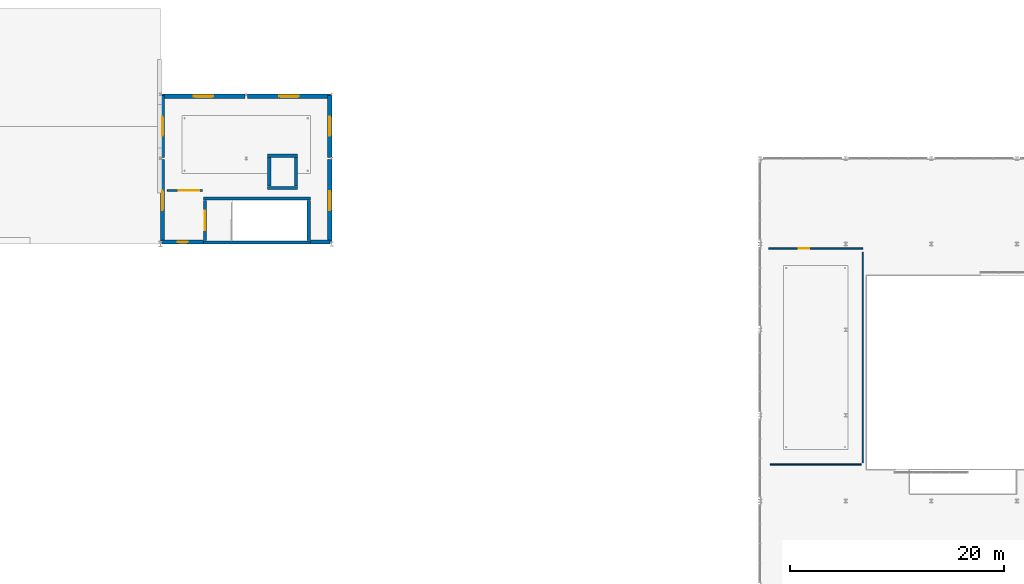
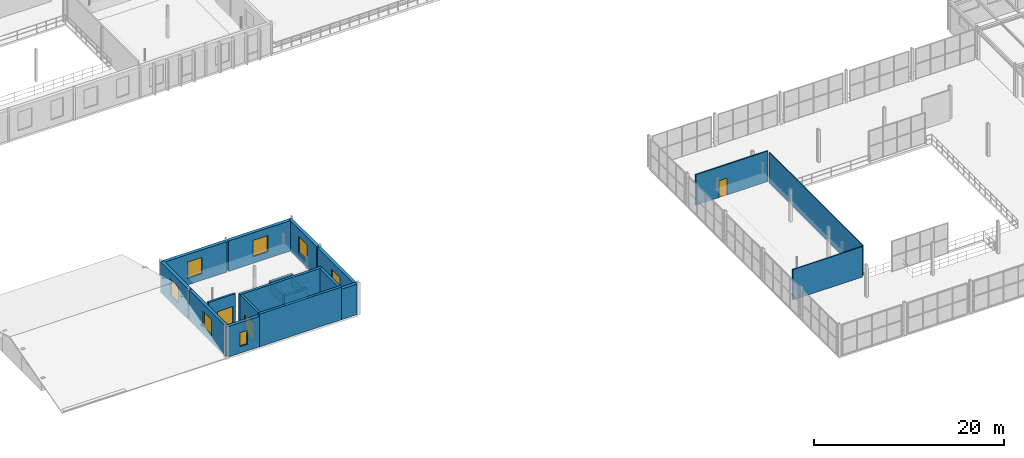
# One storey, part 38 of 67: 20 walls, 7 windows, 3 doors, 10 openings.
"""IFC4 building model written with IfcOpenShell, lengths in metres."""

from ifc_helpers import new_model, si_unit, direction, frame, frame_2d, origin, place, context, subcontext, project, spatial, rectangle, extrude, material, layer, layer_set, type_object, element, fill, save


model = new_model("IFC4")

# Units and contexts
model_context = context("Model", 3, precision=1e-05, world=origin(), true_north=direction((0.0, 1.0)))
body_context = subcontext(model_context, "Body", "Model", "MODEL_VIEW")
ifc_project = project(units=[si_unit("LENGTHUNIT", "METRE"), si_unit("AREAUNIT", "SQUARE_METRE"), si_unit("VOLUMEUNIT", "CUBIC_METRE"), si_unit("PLANEANGLEUNIT", "RADIAN"), si_unit("MASSUNIT", "GRAM", prefix="KILO")], contexts=[model_context])

# Site, building, storey
site_placement = place(None, origin())
site = spatial("IfcSite", under=ifc_project, at=site_placement, CompositionType="ELEMENT")
building_placement = place(site_placement, origin())
building = spatial("IfcBuilding", under=site, at=building_placement, Name="Sundkrona Museum", CompositionType="ELEMENT")
storey_placement = place(building_placement, frame((0.0, 0.0, 21.800048828125)))
storey = spatial("IfcBuildingStorey", under=building, at=storey_placement, Name="L04", CompositionType="ELEMENT", Elevation=21.800048828125)

# Walls
ifc_material_1 = material(Name="Concrete C40/50", Category="concrete")
ifc_layer_1 = layer(ifc_material_1, 0.300048828125)
ifc_layer_set_1 = layer_set([ifc_layer_1], Name="Concrete C40/50")
wall_type_1 = type_object("IfcWallType", Name="W-CORE-300", PredefinedType="SHEAR", material=ifc_layer_set_1)
for number, where, z_axis, x_axis, name in (
    (1, (28.0, 32.14990234375, 0.0), (0.0, 0.0, 1.0), (1.0, 0.0, 0.0), "L04 ST-4 Core Shear Wall South"),
    (2, (28.0, 36.25, 0.0), (0.0, 0.0, 1.0), (1.0, 0.0, 0.0), "L04 ST-4 Core Shear Wall North"),
):
    element("IfcWall", number, at=place(storey_placement, frame(where, z_axis=z_axis, x_axis=x_axis)), inside=storey, type_object=wall_type_1, Name=name, PredefinedType="SHEAR", context=body_context, shape_type="SweptSolid", body=[
        extrude(rectangle(XDim=10.0, YDim=0.300048828125, at=frame_2d((5.0, 0.0))), origin(), (0.0, 0.0, 1.0), 4.199951171875),
    ])

# Wall, opening, door
wall_1_placement = place(storey_placement, frame((28.14990234375, 32.31005859375, 0.0), z_axis=(0.0, 0.0, 1.0), x_axis=(0.0, 1.0, 0.0)))
wall_1 = element("IfcWall", 3, at=wall_1_placement, inside=storey, type_object=wall_type_1, Name="L04 ST-4 Core Shear Wall West", PredefinedType="SHEAR", context=body_context, shape_type="SweptSolid", body=[
    extrude(rectangle(XDim=3.780029296875, YDim=0.300048828125, at=frame_2d((1.89013671875, 0.0))), origin(), (0.0, 0.0, 1.0), 4.199951171875),
])
opening_1_placement = place(wall_1_placement, frame((0.989990234375, 0.0, 0.0)))
opening_1 = element("IfcOpeningElement", 4, at=opening_1_placement, cuts=wall_1, Name="Opening D-FD60", PredefinedType="OPENING", context=body_context, shape_type="SweptSolid", body=[
    extrude(rectangle(XDim=1.800048828125, YDim=2.199951171875, at=frame_2d((0.89990234375, 1.10009765625))), frame((0.0, 0.159912109375, 0.0), z_axis=(0.0, -1.0, 0.0), x_axis=(1.0, 0.0, 0.0)), (0.0, 0.0, 1.0), 0.320068359375),
])
ifc_material_2 = material(Name="Steel S355J2 Fire Door Leaf", Category="steel")
door_type_1 = type_object("IfcDoorType", Name="D-FD60", OperationType="DOUBLE_DOOR_SINGLE_SWING", PredefinedType="DOOR", material=ifc_material_2)
door_1_placement = place(opening_1_placement, origin())
door_1 = element("IfcDoor", 5, at=door_1_placement, inside=storey, type_object=door_type_1, Name="L04 ST-4 Protected Escape Stair Door DR-ST-4-L04", OperationType="DOUBLE_DOOR_SINGLE_SWING", OverallHeight=2.199951171875, OverallWidth=1.800048828125, PredefinedType="DOOR", context=body_context, shape_type="SweptSolid", body=[
    extrude(rectangle(XDim=1.800048828125, YDim=2.199951171875, at=frame_2d((0.89990234375, 1.10009765625))), frame((0.0, 0.02490234375, 0.0), z_axis=(0.0, -1.0, 0.0), x_axis=(1.0, 0.0, 0.0)), (0.0, 0.0, 1.0), 0.050048828125),
])
fill(opening_1, door_1)

# Walls
wall_2_placement = place(storey_placement, frame((37.85009765625, 32.31005859375, 0.0), z_axis=(0.0, 0.0, 1.0), x_axis=(0.0, 1.0, 0.0)))
element("IfcWall", 6, at=wall_2_placement, inside=storey, type_object=wall_type_1, Name="L04 ST-4 Core Shear Wall East", PredefinedType="SHEAR", context=body_context, shape_type="SweptSolid", body=[
    extrude(rectangle(XDim=3.780029296875, YDim=0.300048828125, at=frame_2d((1.89013671875, 0.0))), origin(), (0.0, 0.0, 1.0), 4.199951171875),
])
for number, where, z_axis, x_axis, name in (
    (7, (34.0, 37.25, 0.0), (0.0, 0.0, 1.0), (1.0, 0.0, 0.0), "PL-4 Lift Overrun Wall South"),
    (8, (34.0, 40.25, 0.0), (0.0, 0.0, 1.0), (1.0, 0.0, 0.0), "PL-4 Lift Overrun Wall North"),
):
    element("IfcWall", number, at=place(storey_placement, frame(where, z_axis=z_axis, x_axis=x_axis)), inside=storey, type_object=wall_type_1, Name=name, PredefinedType="SHEAR", context=body_context, shape_type="SweptSolid", body=[
        extrude(rectangle(XDim=2.800048828125, YDim=0.300048828125, at=frame_2d((1.39990234375, 0.0))), origin(), (0.0, 0.0, 1.0), 1.300048828125),
    ])
for number, where, z_axis, x_axis, name in (
    (9, (34.14990234375, 37.409912109375, 0.0), (0.0, 0.0, 1.0), (0.0, 1.0, 0.0), "PL-4 Lift Overrun Wall West"),
    (10, (36.64990234375, 37.409912109375, 0.0), (0.0, 0.0, 1.0), (0.0, 1.0, 0.0), "PL-4 Lift Overrun Wall East"),
):
    element("IfcWall", number, at=place(storey_placement, frame(where, z_axis=z_axis, x_axis=x_axis)), inside=storey, type_object=wall_type_1, Name=name, PredefinedType="SHEAR", context=body_context, shape_type="SweptSolid", body=[
        extrude(rectangle(XDim=2.68017578125, YDim=0.300048828125, at=frame_2d((1.340087890625, 0.0))), origin(), (0.0, 0.0, 1.0), 1.300048828125),
    ])

# Wall, opening, window
ifc_material_3 = material(Name="Scanian Polychrome Clay Brickwork 390 mm", Category="masonry")
ifc_layer_2 = layer(ifc_material_3, 0.389892578125)
ifc_layer_set_2 = layer_set([ifc_layer_2], Name="Scanian Polychrome Clay Brickwork 390 mm")
wall_type_2 = type_object("IfcWallType", Name="W-EX-390", PredefinedType="SOLIDWALL", material=ifc_layer_set_2)
wall_3_placement = place(storey_placement, frame((27.989990234375, 32.195068359375, 0.0), z_axis=(0.0, 0.0, 1.0), x_axis=(-1.0, 0.0, 0.0)))
wall_3 = element("IfcWall", 11, at=wall_3_placement, inside=storey, type_object=wall_type_2, Name="L04 Facade Wall 0239", PredefinedType="SOLIDWALL", context=body_context, shape_type="SweptSolid", body=[
    extrude(rectangle(XDim=3.8349609375, YDim=0.389892578125, at=frame_2d((1.91748046875, 0.0))), origin(), (0.0, 0.0, 1.0), 3.919921875),
])
opening_2_placement = place(wall_3_placement, frame((1.467529296875, 0.0, 0.85009765625)))
opening_2 = element("IfcOpeningElement", 12, at=opening_2_placement, cuts=wall_3, Name="Opening WN-ST-090x180", PredefinedType="OPENING", context=body_context, shape_type="SweptSolid", body=[
    extrude(rectangle(XDim=0.89990234375, YDim=1.800048828125, at=frame_2d((0.449951171875, 0.89990234375))), frame((0.0, 0.204833984375, 0.0), z_axis=(0.0, -1.0, 0.0), x_axis=(1.0, 0.0, 0.0)), (0.0, 0.0, 1.0), 0.409912109375),
])
ifc_material_4 = material(Name="Triple Low-E Argon Glazing in Bronze-Anodised Aluminium", Category="aluminium")
window_type_1 = type_object("IfcWindowType", Name="WN-ST-090x180", PartitioningType="SINGLE_PANEL", PredefinedType="WINDOW", material=ifc_material_4)
window_1_placement = place(opening_2_placement, origin())
window_1 = element("IfcWindow", 13, at=window_1_placement, inside=storey, type_object=window_type_1, Name="L04 Stair-core avenue daylight slot window 900x1800 WIN-L04-0331", OverallHeight=1.800048828125, OverallWidth=0.89990234375, PartitioningType="SINGLE_PANEL", PredefinedType="WINDOW", context=body_context, shape_type="SweptSolid", body=[
    extrude(rectangle(XDim=0.89990234375, YDim=1.800048828125, at=frame_2d((0.449951171875, 0.89990234375))), frame((0.0, 0.030029296875, 0.0), z_axis=(0.0, -1.0, 0.0), x_axis=(1.0, 0.0, 0.0)), (0.0, 0.0, 1.0), 0.06005859375),
])
fill(opening_2, window_1)

# Wall
wall_4_placement = place(storey_placement, frame((39.843994140625, 32.195068359375, 0.0), z_axis=(0.0, 0.0, 1.0), x_axis=(-1.0, 0.0, 0.0)))
element("IfcWall", 14, at=wall_4_placement, inside=storey, type_object=wall_type_2, Name="L04 Facade Wall 0240", PredefinedType="SOLIDWALL", context=body_context, shape_type="SweptSolid", body=[
    extrude(rectangle(XDim=1.833984375, YDim=0.389892578125, at=frame_2d((0.9169921875, 0.0))), origin(), (0.0, 0.0, 1.0), 3.919921875),
])

# Wall, opening, window
wall_5_placement = place(storey_placement, frame((24.10205078125, 45.804931640625, 0.0), z_axis=(0.0, 0.0, 1.0), x_axis=(1.0, 0.0, 0.0)))
wall_5 = element("IfcWall", 15, at=wall_5_placement, inside=storey, type_object=wall_type_2, Name="L04 Facade Wall 0241", PredefinedType="SOLIDWALL", context=body_context, shape_type="SweptSolid", body=[
    extrude(rectangle(XDim=7.7958984375, YDim=0.389892578125, at=frame_2d((3.89794921875, 0.0))), origin(), (0.0, 0.0, 1.0), 3.919921875),
])
opening_3_placement = place(wall_5_placement, frame((2.998046875, 0.0, 0.85009765625)))
opening_3 = element("IfcOpeningElement", 16, at=opening_3_placement, cuts=wall_5, Name="Opening WN-ED-180x210", PredefinedType="OPENING", context=body_context, shape_type="SweptSolid", body=[
    extrude(rectangle(XDim=1.800048828125, YDim=2.10009765625, at=frame_2d((0.89990234375, 1.050048828125))), frame((0.0, 0.204833984375, 0.0), z_axis=(0.0, -1.0, 0.0), x_axis=(1.0, 0.0, 0.0)), (0.0, 0.0, 1.0), 0.409912109375),
])
window_type_2 = type_object("IfcWindowType", Name="WN-ED-180x210", PartitioningType="DOUBLE_PANEL_VERTICAL", PredefinedType="WINDOW", material=ifc_material_4)
window_2_placement = place(opening_3_placement, origin())
window_2 = element("IfcWindow", 17, at=window_2_placement, inside=storey, type_object=window_type_2, Name="L04 Education studio courtyard window 1800x2100 WIN-L04-0332", OverallHeight=2.10009765625, OverallWidth=1.800048828125, PartitioningType="DOUBLE_PANEL_VERTICAL", PredefinedType="WINDOW", context=body_context, shape_type="SweptSolid", body=[
    extrude(rectangle(XDim=1.800048828125, YDim=2.10009765625, at=frame_2d((0.89990234375, 1.050048828125))), frame((0.0, 0.030029296875, 0.0), z_axis=(0.0, -1.0, 0.0), x_axis=(1.0, 0.0, 0.0)), (0.0, 0.0, 1.0), 0.06005859375),
])
fill(opening_3, window_2)

wall_6_placement = place(storey_placement, frame((32.10205078125, 45.804931640625, 0.0), z_axis=(0.0, 0.0, 1.0), x_axis=(1.0, 0.0, 0.0)))
wall_6 = element("IfcWall", 18, at=wall_6_placement, inside=storey, type_object=wall_type_2, Name="L04 Facade Wall 0242", PredefinedType="SOLIDWALL", context=body_context, shape_type="SweptSolid", body=[
    extrude(rectangle(XDim=7.7958984375, YDim=0.389892578125, at=frame_2d((3.89794921875, 0.0))), origin(), (0.0, 0.0, 1.0), 3.919921875),
])
opening_4_placement = place(wall_6_placement, frame((2.998046875, 0.0, 0.85009765625)))
opening_4 = element("IfcOpeningElement", 19, at=opening_4_placement, cuts=wall_6, Name="Opening WN-ED-180x210", PredefinedType="OPENING", context=body_context, shape_type="SweptSolid", body=[
    extrude(rectangle(XDim=1.800048828125, YDim=2.10009765625, at=frame_2d((0.89990234375, 1.050048828125))), frame((0.0, 0.204833984375, 0.0), z_axis=(0.0, -1.0, 0.0), x_axis=(1.0, 0.0, 0.0)), (0.0, 0.0, 1.0), 0.409912109375),
])
window_3_placement = place(opening_4_placement, origin())
window_3 = element("IfcWindow", 20, at=window_3_placement, inside=storey, type_object=window_type_2, Name="L04 Education studio courtyard window 1800x2100 WIN-L04-0333", OverallHeight=2.10009765625, OverallWidth=1.800048828125, PartitioningType="DOUBLE_PANEL_VERTICAL", PredefinedType="WINDOW", context=body_context, shape_type="SweptSolid", body=[
    extrude(rectangle(XDim=1.800048828125, YDim=2.10009765625, at=frame_2d((0.89990234375, 1.050048828125))), frame((0.0, 0.030029296875, 0.0), z_axis=(0.0, -1.0, 0.0), x_axis=(1.0, 0.0, 0.0)), (0.0, 0.0, 1.0), 0.06005859375),
])
fill(opening_4, window_3)

wall_7_placement = place(storey_placement, frame((24.195068359375, 32.263916015625, 0.0), z_axis=(0.0, 0.0, 1.0), x_axis=(0.0, 1.0, 0.0)))
wall_7 = element("IfcWall", 21, at=wall_7_placement, inside=storey, type_object=wall_type_2, Name="L04 Facade Wall 0243", PredefinedType="SOLIDWALL", context=body_context, shape_type="SweptSolid", body=[
    extrude(rectangle(XDim=7.634033203125, YDim=0.389892578125, at=frame_2d((3.81689453125, 0.0))), origin(), (0.0, 0.0, 1.0), 3.919921875),
])
opening_5_placement = place(wall_7_placement, frame((2.9169921875, 0.0, 0.85009765625)))
opening_5 = element("IfcOpeningElement", 22, at=opening_5_placement, cuts=wall_7, Name="Opening WN-ED-180x210", PredefinedType="OPENING", context=body_context, shape_type="SweptSolid", body=[
    extrude(rectangle(XDim=1.800048828125, YDim=2.10009765625, at=frame_2d((0.89990234375, 1.050048828125))), frame((0.0, 0.204833984375, 0.0), z_axis=(0.0, -1.0, 0.0), x_axis=(1.0, 0.0, 0.0)), (0.0, 0.0, 1.0), 0.409912109375),
])
window_4_placement = place(opening_5_placement, origin())
window_4 = element("IfcWindow", 23, at=window_4_placement, inside=storey, type_object=window_type_2, Name="L04 Education studio courtyard window 1800x2100 WIN-L04-0334", OverallHeight=2.10009765625, OverallWidth=1.800048828125, PartitioningType="DOUBLE_PANEL_VERTICAL", PredefinedType="WINDOW", context=body_context, shape_type="SweptSolid", body=[
    extrude(rectangle(XDim=1.800048828125, YDim=2.10009765625, at=frame_2d((0.89990234375, 1.050048828125))), frame((0.0, 0.030029296875, 0.0), z_axis=(0.0, -1.0, 0.0), x_axis=(1.0, 0.0, 0.0)), (0.0, 0.0, 1.0), 0.06005859375),
])
fill(opening_5, window_4)

wall_8_placement = place(storey_placement, frame((39.804931640625, 39.89794921875, 0.0), z_axis=(0.0, 0.0, 1.0), x_axis=(0.0, -1.0, 0.0)))
wall_8 = element("IfcWall", 24, at=wall_8_placement, inside=storey, type_object=wall_type_2, Name="L04 Facade Wall 0244", PredefinedType="SOLIDWALL", context=body_context, shape_type="SweptSolid", body=[
    extrude(rectangle(XDim=7.698486328125, YDim=0.389892578125, at=frame_2d((3.84912109375, 0.0))), origin(), (0.0, 0.0, 1.0), 3.919921875),
])
opening_6_placement = place(wall_8_placement, frame((2.94921875, 0.0, 0.85009765625)))
opening_6 = element("IfcOpeningElement", 25, at=opening_6_placement, cuts=wall_8, Name="Opening WN-ED-180x210", PredefinedType="OPENING", context=body_context, shape_type="SweptSolid", body=[
    extrude(rectangle(XDim=1.800048828125, YDim=2.10009765625, at=frame_2d((0.89990234375, 1.050048828125))), frame((0.0, 0.204833984375, 0.0), z_axis=(0.0, -1.0, 0.0), x_axis=(1.0, 0.0, 0.0)), (0.0, 0.0, 1.0), 0.409912109375),
])
window_5_placement = place(opening_6_placement, origin())
window_5 = element("IfcWindow", 26, at=window_5_placement, inside=storey, type_object=window_type_2, Name="L04 Education studio courtyard window 1800x2100 WIN-L04-0335", OverallHeight=2.10009765625, OverallWidth=1.800048828125, PartitioningType="DOUBLE_PANEL_VERTICAL", PredefinedType="WINDOW", context=body_context, shape_type="SweptSolid", body=[
    extrude(rectangle(XDim=1.800048828125, YDim=2.10009765625, at=frame_2d((0.89990234375, 1.050048828125))), frame((0.0, 0.030029296875, 0.0), z_axis=(0.0, -1.0, 0.0), x_axis=(1.0, 0.0, 0.0)), (0.0, 0.0, 1.0), 0.06005859375),
])
fill(opening_6, window_5)

wall_9_placement = place(storey_placement, frame((24.195068359375, 40.10205078125, 0.0), z_axis=(0.0, 0.0, 1.0), x_axis=(0.0, 1.0, 0.0)))
wall_9 = element("IfcWall", 27, at=wall_9_placement, inside=storey, type_object=wall_type_2, Name="L04 Facade Wall 0245", PredefinedType="SOLIDWALL", context=body_context, shape_type="SweptSolid", body=[
    extrude(rectangle(XDim=5.7958984375, YDim=0.389892578125, at=frame_2d((2.89794921875, 0.0))), origin(), (0.0, 0.0, 1.0), 3.919921875),
])
opening_7_placement = place(wall_9_placement, frame((1.998046875, 0.0, 0.85009765625)))
opening_7 = element("IfcOpeningElement", 28, at=opening_7_placement, cuts=wall_9, Name="Opening WN-ED-180x210", PredefinedType="OPENING", context=body_context, shape_type="SweptSolid", body=[
    extrude(rectangle(XDim=1.800048828125, YDim=2.10009765625, at=frame_2d((0.89990234375, 1.050048828125))), frame((0.0, 0.204833984375, 0.0), z_axis=(0.0, -1.0, 0.0), x_axis=(1.0, 0.0, 0.0)), (0.0, 0.0, 1.0), 0.409912109375),
])
window_6_placement = place(opening_7_placement, origin())
window_6 = element("IfcWindow", 29, at=window_6_placement, inside=storey, type_object=window_type_2, Name="L04 Education studio courtyard window 1800x2100 WIN-L04-0336", OverallHeight=2.10009765625, OverallWidth=1.800048828125, PartitioningType="DOUBLE_PANEL_VERTICAL", PredefinedType="WINDOW", context=body_context, shape_type="SweptSolid", body=[
    extrude(rectangle(XDim=1.800048828125, YDim=2.10009765625, at=frame_2d((0.89990234375, 1.050048828125))), frame((0.0, 0.030029296875, 0.0), z_axis=(0.0, -1.0, 0.0), x_axis=(1.0, 0.0, 0.0)), (0.0, 0.0, 1.0), 0.06005859375),
])
fill(opening_7, window_6)

wall_10_placement = place(storey_placement, frame((39.804931640625, 45.89794921875, 0.0), z_axis=(0.0, 0.0, 1.0), x_axis=(0.0, -1.0, 0.0)))
wall_10 = element("IfcWall", 30, at=wall_10_placement, inside=storey, type_object=wall_type_2, Name="L04 Facade Wall 0246", PredefinedType="SOLIDWALL", context=body_context, shape_type="SweptSolid", body=[
    extrude(rectangle(XDim=5.7958984375, YDim=0.389892578125, at=frame_2d((2.89794921875, 0.0))), origin(), (0.0, 0.0, 1.0), 3.919921875),
])
opening_8_placement = place(wall_10_placement, frame((1.998046875, 0.0, 0.85009765625)))
opening_8 = element("IfcOpeningElement", 31, at=opening_8_placement, cuts=wall_10, Name="Opening WN-ED-180x210", PredefinedType="OPENING", context=body_context, shape_type="SweptSolid", body=[
    extrude(rectangle(XDim=1.800048828125, YDim=2.10009765625, at=frame_2d((0.89990234375, 1.050048828125))), frame((0.0, 0.204833984375, 0.0), z_axis=(0.0, -1.0, 0.0), x_axis=(1.0, 0.0, 0.0)), (0.0, 0.0, 1.0), 0.409912109375),
])
window_7_placement = place(opening_8_placement, origin())
window_7 = element("IfcWindow", 32, at=window_7_placement, inside=storey, type_object=window_type_2, Name="L04 Education studio courtyard window 1800x2100 WIN-L04-0337", OverallHeight=2.10009765625, OverallWidth=1.800048828125, PartitioningType="DOUBLE_PANEL_VERTICAL", PredefinedType="WINDOW", context=body_context, shape_type="SweptSolid", body=[
    extrude(rectangle(XDim=1.800048828125, YDim=2.10009765625, at=frame_2d((0.89990234375, 1.050048828125))), frame((0.0, 0.030029296875, 0.0), z_axis=(0.0, -1.0, 0.0), x_axis=(1.0, 0.0, 0.0)), (0.0, 0.0, 1.0), 0.06005859375),
])
fill(opening_8, window_7)

# Wall, opening, door
ifc_material_5 = material(Name="Autoclaved Aerated Masonry 225 mm", Category="masonry")
ifc_layer_3 = layer(ifc_material_5, 0.22509765625)
ifc_layer_set_3 = layer_set([ifc_layer_3], Name="Autoclaved Aerated Masonry 225 mm")
wall_type_3 = type_object("IfcWallType", Name="W-FF-225", PredefinedType="SOLIDWALL", material=ifc_layer_set_3)
wall_11_placement = place(storey_placement, frame((24.60009765625, 37.0, 0.0), z_axis=(0.0, 0.0, 1.0), x_axis=(1.0, 0.0, 0.0)))
wall_11 = element("IfcWall", 33, at=wall_11_placement, inside=storey, type_object=wall_type_3, Name="L04 Partition Core 4 Stair Lobby / Exhibition Archive Research Room", PredefinedType="SOLIDWALL", context=body_context, shape_type="SweptSolid", body=[
    extrude(rectangle(XDim=3.2998046875, YDim=0.22509765625, at=frame_2d((1.64990234375, 0.0))), origin(), (0.0, 0.0, 1.0), 3.919921875),
])
opening_9_placement = place(wall_11_placement, frame((1.10009765625, 0.0, 0.0)))
opening_9 = element("IfcOpeningElement", 34, at=opening_9_placement, cuts=wall_11, Name="Opening D-AUD-190", PredefinedType="OPENING", context=body_context, shape_type="SweptSolid", body=[
    extrude(rectangle(XDim=1.89990234375, YDim=2.35009765625, at=frame_2d((0.949951171875, 1.175048828125))), frame((0.0, 0.12255859375, 0.0), z_axis=(0.0, -1.0, 0.0), x_axis=(1.0, 0.0, 0.0)), (0.0, 0.0, 1.0), 0.2451171875),
])
ifc_material_6 = material(Name="Acoustic Oak Fire Door", Category="other")
door_type_2 = type_object("IfcDoorType", Name="D-AUD-190", OperationType="DOUBLE_DOOR_SINGLE_SWING", PredefinedType="DOOR", material=ifc_material_6)
door_2_placement = place(opening_9_placement, origin())
door_2 = element("IfcDoor", 35, at=door_2_placement, inside=storey, type_object=door_type_2, Name="L04 Interior Door DR-ADJ-L04-0192", OperationType="DOUBLE_DOOR_SINGLE_SWING", OverallHeight=2.35009765625, OverallWidth=1.89990234375, PredefinedType="DOOR", context=body_context, shape_type="SweptSolid", body=[
    extrude(rectangle(XDim=1.89990234375, YDim=2.35009765625, at=frame_2d((0.949951171875, 1.175048828125))), frame((0.0, 0.02490234375, 0.0), z_axis=(0.0, -1.0, 0.0), x_axis=(1.0, 0.0, 0.0)), (0.0, 0.0, 1.0), 0.050048828125),
])
fill(opening_9, door_2)

# Walls
ifc_material_7 = material(Name="Gypsum metal-stud Partition Board 125 mm", Category="other")
ifc_layer_4 = layer(ifc_material_7, 0.125)
ifc_layer_set_4 = layer_set([ifc_layer_4], Name="Gypsum metal-stud Partition Board 125 mm")
wall_type_4 = type_object("IfcWallType", Name="W-PT-125", PredefinedType="PARTITIONING", material=ifc_layer_set_4)
wall_12_placement = place(storey_placement, frame((80.949951171875, 11.39990234375, 0.0), z_axis=(0.0, 0.0, 1.0), x_axis=(1.0, 0.0, 0.0)))
element("IfcWall", 36, at=wall_12_placement, inside=storey, type_object=wall_type_4, Name="L04 Curatorial Administration Suite Enclosure Wall S", PredefinedType="PARTITIONING", context=body_context, shape_type="SweptSolid", body=[
    extrude(rectangle(XDim=8.5, YDim=0.125, at=frame_2d((4.25, 0.0))), origin(), (0.0, 0.0, 1.0), 3.919921875),
])
wall_13_placement = place(storey_placement, frame((89.60009765625, 11.550048828125, 0.0), z_axis=(0.0, 0.0, 1.0), x_axis=(0.0, 1.0, 0.0)))
element("IfcWall", 37, at=wall_13_placement, inside=storey, type_object=wall_type_4, Name="L04 Curatorial Administration Suite Enclosure Wall E", PredefinedType="PARTITIONING", context=body_context, shape_type="SweptSolid", body=[
    extrude(rectangle(XDim=19.699951171875, YDim=0.125, at=frame_2d((9.85009765625, 0.0))), origin(), (0.0, 0.0, 1.0), 3.919921875),
])

# Wall, opening, door
ifc_material_8 = material(Name="Acoustic Gypsum Partition Board 150 mm", Category="other")
ifc_layer_5 = layer(ifc_material_8, 0.14990234375)
ifc_layer_set_5 = layer_set([ifc_layer_5], Name="Acoustic Gypsum Partition Board 150 mm")
wall_type_5 = type_object("IfcWallType", Name="W-PT-150", PredefinedType="PARTITIONING", material=ifc_layer_set_5)
wall_14_placement = place(storey_placement, frame((80.800048828125, 31.60009765625, 0.0), z_axis=(0.0, 0.0, 1.0), x_axis=(1.0, 0.0, 0.0)))
wall_14 = element("IfcWall", 38, at=wall_14_placement, inside=storey, type_object=wall_type_5, Name="L04 Partition Atrium Crown Rim Concourse / Curatorial Administration Suite", PredefinedType="PARTITIONING", context=body_context, shape_type="SweptSolid", body=[
    extrude(rectangle(XDim=8.800048828125, YDim=0.14990234375, at=frame_2d((4.39990234375, 0.0))), origin(), (0.0, 0.0, 1.0), 3.919921875),
])
opening_10_placement = place(wall_14_placement, frame((2.820068359375, 0.0, 0.0)))
opening_10 = element("IfcOpeningElement", 39, at=opening_10_placement, cuts=wall_14, Name="Opening D-RM-100", PredefinedType="OPENING", context=body_context, shape_type="SweptSolid", body=[
    extrude(rectangle(XDim=1.0, YDim=2.14990234375, at=frame_2d((0.5, 1.074951171875))), frame((0.0, 0.0849609375, 0.0), z_axis=(0.0, -1.0, 0.0), x_axis=(1.0, 0.0, 0.0)), (0.0, 0.0, 1.0), 0.169921875),
])
ifc_material_9 = material(Name="European Oak Door Leaf", Category="other")
door_type_3 = type_object("IfcDoorType", Name="D-RM-100", OperationType="NOTDEFINED", PredefinedType="DOOR", material=ifc_material_9)
door_3_placement = place(opening_10_placement, origin())
door_3 = element("IfcDoor", 40, at=door_3_placement, inside=storey, type_object=door_type_3, Name="L04 Interior Door DR-ADJ-L04-0194", OperationType="SINGLE_SWING_RIGHT", OverallHeight=2.14990234375, OverallWidth=1.0, PredefinedType="DOOR", context=body_context, shape_type="SweptSolid", body=[
    extrude(rectangle(XDim=1.0, YDim=2.14990234375, at=frame_2d((0.5, 1.074951171875))), frame((0.0, 0.02490234375, 0.0), z_axis=(0.0, -1.0, 0.0), x_axis=(1.0, 0.0, 0.0)), (0.0, 0.0, 1.0), 0.050048828125),
])
fill(opening_10, door_3)

save(model, "model.ifc")
